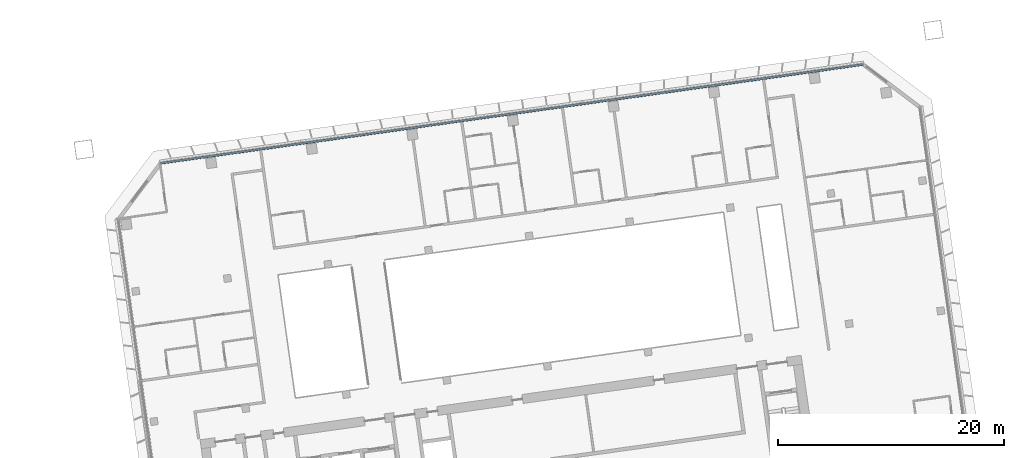
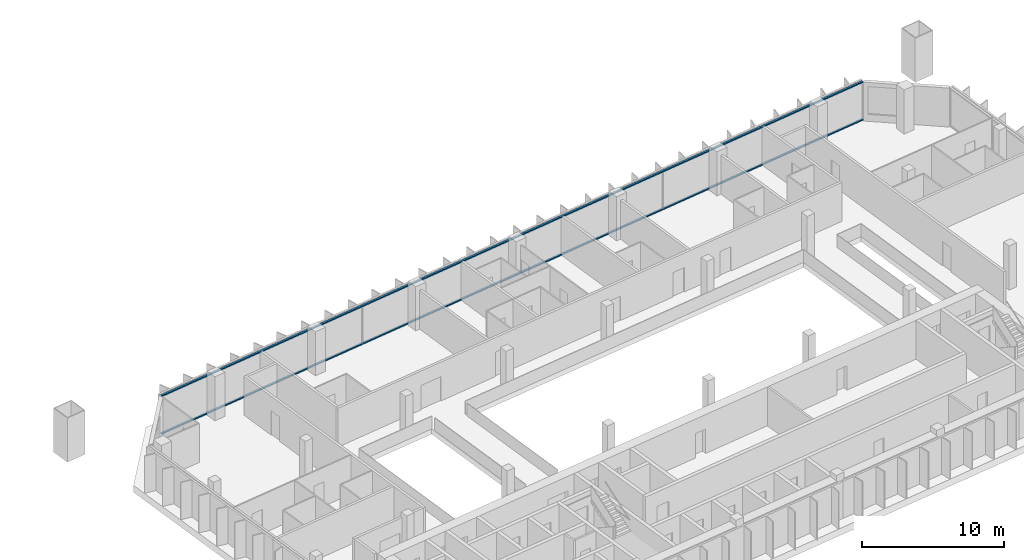
# One storey, part 9 of 25: 2 members, 1 element without a shape of its own.
"""IFC4 building model written with IfcOpenShell, lengths in metres."""

from ifc_helpers import new_model, si_unit, direction, frame, origin, origin_2d, place, context, subcontext, project, spatial, rectangle, extrude, material, material_profile, profile_set, type_object, element, aggregate, save


model = new_model("IFC4")

# Units and contexts
model_context = context("Model", 3, precision=1e-05, world=origin(), true_north=direction((0.0, 1.0)))
body_context = subcontext(model_context, "Body", "Model", "MODEL_VIEW")
ifc_project = project(units=[si_unit("LENGTHUNIT", "METRE"), si_unit("AREAUNIT", "SQUARE_METRE"), si_unit("VOLUMEUNIT", "CUBIC_METRE"), si_unit("PLANEANGLEUNIT", "RADIAN"), si_unit("MASSUNIT", "GRAM", prefix="KILO")], contexts=[model_context])

# Site, building, storey
site_placement = place(None, origin())
site = spatial("IfcSite", under=ifc_project, at=site_placement, CompositionType="ELEMENT")
building_placement = place(site_placement, origin())
building = spatial("IfcBuilding", under=site, at=building_placement, Name="Mirante Cascada Hotel Towers", CompositionType="ELEMENT")
storey_placement = place(building_placement, frame((0.0, 0.0, 129.1)))
storey = spatial("IfcBuildingStorey", under=building, at=storey_placement, Name="L29", CompositionType="ELEMENT", Elevation=129.1)

# Curtain wall, members
ifc_material_1 = material(Name="Aluminium mullion and transom frame with clear laminated glass", Category="aluminium")
curtain_wall_type = type_object("IfcCurtainWallType", Name="Ribbon curtain wall ECW1", PredefinedType="NOTDEFINED", material=ifc_material_1)
curtain_wall_placement = place(storey_placement, origin())
curtain_wall = element("IfcCurtainWall", 1, at=curtain_wall_placement, inside=storey, type_object=curtain_wall_type, Name="Front ribbon wall T2 L29", PredefinedType="NOTDEFINED")
ifc_material_2 = material(Name="Anodised aluminium extrusion", Category="aluminium")
ifc_material_profile = material_profile(ifc_material_2, rectangle(XDim=0.16, YDim=0.1, at=origin_2d()), Name="ECW1 TRANSOM 100x160")
ifc_profile_set = profile_set([ifc_material_profile], Name="Anodised aluminium extrusion")
member_type = type_object("IfcMemberType", Name="ECW1 transom 100x160", PredefinedType="USERDEFINED", material=ifc_profile_set)
member_1_placement = place(storey_placement, frame((94.1582, 26.0521, 0.05), z_axis=(-0.9902681, -0.1391728, 0.0), x_axis=(0.1391728, -0.9902681, 0.0)))
member_1 = element("IfcMember", 2, at=member_1_placement, type_object=member_type, Name="ECW1 sill transom", ObjectType="TRANSOM", PredefinedType="USERDEFINED", context=body_context, shape_type="SweptSolid", body=[
    extrude(rectangle(XDim=0.16, YDim=0.1, at=origin_2d()), origin(), (0.0, 0.0, 1.0), 62.8758),
])
member_2_placement = place(storey_placement, frame((94.1582, 26.0521, 3.3), z_axis=(-0.9902681, -0.1391728, 0.0), x_axis=(0.1391728, -0.9902681, 0.0)))
member_2 = element("IfcMember", 3, at=member_2_placement, type_object=member_type, Name="ECW1 head transom", ObjectType="TRANSOM", PredefinedType="USERDEFINED", context=body_context, shape_type="SweptSolid", body=[
    extrude(rectangle(XDim=0.16, YDim=0.1, at=origin_2d()), origin(), (0.0, 0.0, 1.0), 62.8758),
])
aggregate(curtain_wall, [member_1, member_2])

save(model, "model.ifc")
